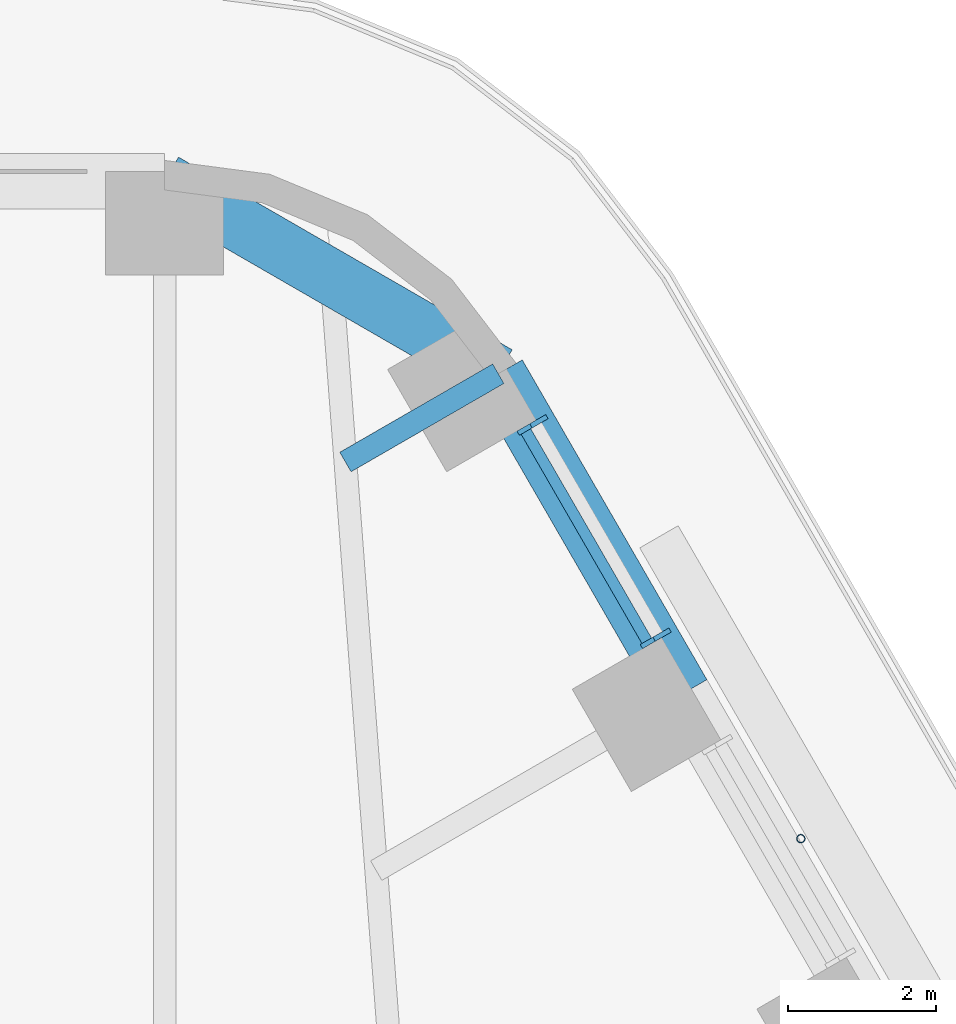
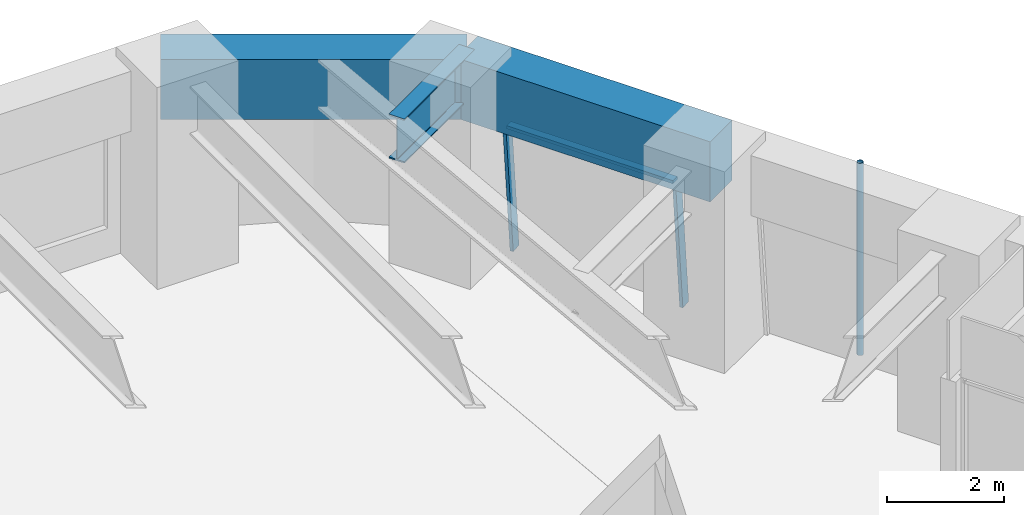
# One storey, part 13 of 24: 4 members, 3 beams, 1 element without a shape of its own.
"""IFC4 building model written with IfcOpenShell, lengths in metres."""

import ifcopenshell
import ifcopenshell.guid

model = None  # the IFC model being written
_history = None  # IfcOwnerHistory: only IFC2X3 demands one
_inside = {}  # id of a spatial element -> (the spatial element, [elements in it])
_under = {}  # id of a project, library or spatial element -> (it, [spatial elements below it])
_declared = {}  # id of a project -> (the project, [libraries it declares])
_typed = {}  # id of a type object -> (the type object, [elements of that type])
_made_of = {}  # id of a material, layer set ... -> (it, [elements and type objects made of it])


def new_model(schema):
    """Start an empty IFC model of exactly this schema.

    Asked for "IFC4X3", IfcOpenShell would pick the latest addendum, in which some entities
    have other attributes; the version numbers below select the first issue.
    IFC2X3 requires an IfcOwnerHistory on every rooted entity: one is made here for all.
    """
    global model, _history
    if schema == "IFC4X3":
        model = ifcopenshell.file(schema_version=(4, 3, 0, 0))
    else:
        model = ifcopenshell.file(schema=schema)
    _inside.clear()
    _under.clear()
    _declared.clear()
    _typed.clear()
    _made_of.clear()
    _history = None
    if model.schema == "IFC2X3":
        org = make("IfcOrganization", Name="unknown")
        user = make(
            "IfcPersonAndOrganization",
            ThePerson=make("IfcPerson", FamilyName="unknown"),
            TheOrganization=org,
        )
        app = make(
            "IfcApplication",
            ApplicationDeveloper=org,
            Version="unknown",
            ApplicationFullName="unknown",
            ApplicationIdentifier="unknown",
        )
        _history = make(
            "IfcOwnerHistory",
            OwningUser=user,
            OwningApplication=app,
            ChangeAction="ADDED",
            CreationDate=0,
        )
    return model


def make(cls, **values):
    """One entity of the class cls with the attributes given. An attribute that is None is left unset."""
    return model.create_entity(
        cls, **{name: value for name, value in values.items() if value is not None}
    )


def rooted(cls, **values):
    """An entity with a GlobalId (a new one), such as an element, a storey or a relation."""
    return make(cls, GlobalId=ifcopenshell.guid.new(), OwnerHistory=_history, **values)


def si_unit(unit_type, name, prefix=None):
    """IfcSIUnit, for example si_unit("LENGTHUNIT", "METRE", prefix="MILLI")."""
    return make("IfcSIUnit", UnitType=unit_type, Prefix=prefix, Name=name)


def assignment(units):
    """IfcUnitAssignment: the units of a project."""
    return None if units is None else make("IfcUnitAssignment", Units=units)


def point(xyz):
    """IfcCartesianPoint."""
    return None if xyz is None else make("IfcCartesianPoint", Coordinates=xyz)


def direction(xyz):
    """IfcDirection."""
    return None if xyz is None else make("IfcDirection", DirectionRatios=xyz)


def frame(location, z_axis=None, x_axis=None):
    """IfcAxis2Placement3D, a coordinate frame: its origin and axes. An axis left out is left unset."""
    return make(
        "IfcAxis2Placement3D",
        Location=point(location),
        Axis=direction(z_axis),
        RefDirection=direction(x_axis),
    )


def frame_2d(location, x_axis=None):
    """IfcAxis2Placement2D, a coordinate frame in the plane: its origin and x axis."""
    return make(
        "IfcAxis2Placement2D", Location=point(location), RefDirection=direction(x_axis)
    )


def origin():
    """The frame at (0, 0, 0) with its axes left unset."""
    return frame((0.0, 0.0, 0.0))


def origin_2d():
    """The frame at (0, 0) in the plane with its x axis left unset."""
    return frame_2d((0.0, 0.0))


def place(relative_to, where):
    """IfcLocalPlacement: puts the frame where relative to a parent placement (None: the world)."""
    return make(
        "IfcLocalPlacement", PlacementRelTo=relative_to, RelativePlacement=where
    )


def context(
    kind, dimensions, precision=None, world=None, true_north=None, identifier=None
):
    """IfcGeometricRepresentationContext, for example the 3D "Model" context."""
    return make(
        "IfcGeometricRepresentationContext",
        ContextIdentifier=identifier,
        ContextType=kind,
        CoordinateSpaceDimension=dimensions,
        Precision=precision,
        WorldCoordinateSystem=world,
        TrueNorth=true_north,
    )


def subcontext(parent, identifier, kind, view, scale=None):
    """IfcGeometricRepresentationSubContext, for example "Body" below "Model"."""
    return make(
        "IfcGeometricRepresentationSubContext",
        ContextIdentifier=identifier,
        ContextType=kind,
        ParentContext=parent,
        TargetScale=scale,
        TargetView=view,
    )


def project(units=None, contexts=None):
    """IfcProject with its units and contexts."""
    return rooted(
        "IfcProject",
        Name="project",
        RepresentationContexts=contexts,
        UnitsInContext=assignment(units),
    )


def spatial(cls, under=None, at=None, **own):
    """A site, building, storey or space (cls), placed at a placement, below another one or the project."""
    s = rooted(cls, ObjectPlacement=at, **own)
    if under is not None:
        _under.setdefault(under.id(), (under, []))[1].append(s)
    return s


def profile(cls, at=None, kind="AREA", **sizes):
    """A parametric profile (cls). Its sizes go by their IFC names, for example OverallWidth=200.0."""
    return make(cls, ProfileType=kind, Position=at, **sizes)


def rectangle(**sizes):
    """IfcRectangleProfileDef."""
    return profile("IfcRectangleProfileDef", **sizes)


def hollow_circle(**sizes):
    """IfcCircleHollowProfileDef."""
    return profile("IfcCircleHollowProfileDef", **sizes)


def i_section(**sizes):
    """IfcIShapeProfileDef."""
    return profile("IfcIShapeProfileDef", **sizes)


def extrude(swept, where, along, depth):
    """IfcExtrudedAreaSolid: the profile swept, set in the frame where, extruded along a direction by depth."""
    return make(
        "IfcExtrudedAreaSolid",
        SweptArea=swept,
        Position=where,
        ExtrudedDirection=direction(along),
        Depth=depth,
    )


def shape(context_of_items, identifier, shape_type, items):
    """IfcShapeRepresentation: the items that make up one representation, for example the "Body"."""
    return make(
        "IfcShapeRepresentation",
        ContextOfItems=context_of_items,
        RepresentationIdentifier=identifier,
        RepresentationType=shape_type,
        Items=items,
    )


def material(Name=None, Category=None):
    """IfcMaterial."""
    return make("IfcMaterial", Name=Name, Category=Category)


def material_profile(
    of_material, cross_section, Name=None, Category=None, Priority=None
):
    """IfcMaterialProfile: a cross section and its material."""
    return make(
        "IfcMaterialProfile",
        Name=Name,
        Material=of_material,
        Profile=cross_section,
        Priority=Priority,
        Category=Category,
    )


def profile_set(profiles, Name=None, composite=None):
    """IfcMaterialProfileSet."""
    return make(
        "IfcMaterialProfileSet",
        Name=Name,
        MaterialProfiles=profiles,
        CompositeProfile=composite,
    )


def made_of(thing, what):
    """Note that an element or type object is made of a material, layer set ...; save() writes the relation."""
    if what is not None:
        _made_of.setdefault(what.id(), (what, []))[1].append(thing)
    return thing


def type_object(cls, material=None, **own):
    """A type object (cls), such as IfcWallType, which elements share."""
    return made_of(rooted(cls, **own), material)


def element(
    cls,
    number,
    at=None,
    inside=None,
    cuts=None,
    type_object=None,
    material=None,
    context=None,
    identifier="Body",
    shape_type=None,
    held_by="IfcProductDefinitionShape",
    body=None,
    shapes=None,
    **own,
):
    """One element of the class cls, such as IfcWall. Its Tag is "e" and its number.

    at: its placement. inside: the storey or other place that contains it. cuts: it is an
    opening in that element (IfcRelVoidsElement). A single representation is given by context,
    identifier, shape_type and body (its items); several are given by shapes. held_by: the class
    of the entity that holds the representations. save() writes the other relations.
    """
    e = rooted(cls, Tag="e%d" % number, ObjectPlacement=at, **own)
    if body is not None:
        shapes = [shape(context, identifier, shape_type, body)]
    if shapes is not None:
        e.Representation = make(held_by, Representations=shapes)
    if inside is not None:
        _inside.setdefault(inside.id(), (inside, []))[1].append(e)
    if cuts is not None:
        rooted(
            "IfcRelVoidsElement", RelatingBuildingElement=cuts, RelatedOpeningElement=e
        )
    if type_object is not None:
        _typed.setdefault(type_object.id(), (type_object, []))[1].append(e)
    return made_of(e, material)


def aggregate(whole, parts):
    """IfcRelAggregates: a whole, such as a stair, and the parts it consists of."""
    return rooted("IfcRelAggregates", RelatingObject=whole, RelatedObjects=parts)


def save(model, path):
    """Write the relations noted so far, then the file.

    IfcRelAggregates (storeys below a building ...), IfcRelContainedInSpatialStructure (elements
    in a storey), IfcRelDefinesByType, IfcRelAssociatesMaterial and IfcRelDeclares: one each for
    every whole, place, type object, material and project.
    """
    for whole, parts in _under.values():
        aggregate(whole, parts)
    for where, things in _inside.values():
        rooted(
            "IfcRelContainedInSpatialStructure",
            RelatedElements=things,
            RelatingStructure=where,
        )
    for kind, things in _typed.values():
        rooted("IfcRelDefinesByType", RelatedObjects=things, RelatingType=kind)
    for what, things in _made_of.values():
        rooted("IfcRelAssociatesMaterial", RelatedObjects=things, RelatingMaterial=what)
    for by, libraries in _declared.values():
        rooted("IfcRelDeclares", RelatingContext=by, RelatedDefinitions=libraries)
    model.write(path)


model = new_model("IFC4")

# Units and contexts
model_context = context("Model", 3, precision=1e-05, world=origin(), true_north=direction((0.0, 1.0)))
body_context = subcontext(model_context, "Body", "Model", "MODEL_VIEW")
ifc_project = project(units=[si_unit("LENGTHUNIT", "METRE"), si_unit("AREAUNIT", "SQUARE_METRE"), si_unit("VOLUMEUNIT", "CUBIC_METRE"), si_unit("PLANEANGLEUNIT", "RADIAN"), si_unit("MASSUNIT", "GRAM", prefix="KILO")], contexts=[model_context])

# Site, building, storey
site_placement = place(None, origin())
site = spatial("IfcSite", under=ifc_project, at=site_placement, CompositionType="ELEMENT")
building_placement = place(site_placement, origin())
building = spatial("IfcBuilding", under=site, at=building_placement, Name="Tarfa Lantern Tower", CompositionType="ELEMENT")
storey_placement = place(building_placement, frame((0.0, 0.0, 178.300048828125)))
storey = spatial("IfcBuildingStorey", under=building, at=storey_placement, Name="L40", CompositionType="ELEMENT", Elevation=178.300048828125)

# Curtain wall, members
ifc_material_1 = material(Name="Aluminium framed curtain wall", Category="aluminium")
curtain_wall_type = type_object("IfcCurtainWallType", Name="CW2 CANTED GLAZING MID ZONE 2750", PredefinedType="USERDEFINED", material=ifc_material_1)
curtain_wall_placement = place(storey_placement, origin())
curtain_wall = element("IfcCurtainWall", 1, at=curtain_wall_placement, inside=storey, type_object=curtain_wall_type, Name="CW2 NEB L40", ObjectType="CURTAIN WALL", PredefinedType="USERDEFINED")
ifc_material_2 = material(Name="Aluminium mullion", Category="aluminium")
ifc_material_profile_1 = material_profile(ifc_material_2, rectangle(XDim=0.06494140625, YDim=0.199951171875, at=origin_2d()), Name="AL MULLION 65x200")
ifc_profile_set_1 = profile_set([ifc_material_profile_1], Name="Aluminium mullion")
member_type_1 = type_object("IfcMemberType", Name="CWM1 MULLION 65x200", PredefinedType="MULLION", material=ifc_profile_set_1)
member_1_placement = place(storey_placement, frame((21.773193359375, 25.087646484375, 0.0), z_axis=(-0.078422950161, -0.045267813396, 0.995891894715), x_axis=(0.499919672301, -0.866071776036, 0.0)))
member_1 = element("IfcMember", 2, at=member_1_placement, type_object=member_type_1, Name="CW2 mullion 1", PredefinedType="MULLION", context=body_context, shape_type="SweptSolid", body=[
    extrude(rectangle(XDim=0.06494140625, YDim=0.199951171875, at=origin_2d()), origin(), (0.0, 0.0, 1.0), 2.76123046875),
])
member_2_placement = place(storey_placement, frame((20.10400390625, 27.97900390625, 0.0), z_axis=(-0.078422950161, -0.045267813396, 0.995891894715), x_axis=(0.499919672301, -0.866071776036, 0.0)))
member_2 = element("IfcMember", 3, at=member_2_placement, type_object=member_type_1, Name="CW2 mullion 2", PredefinedType="MULLION", context=body_context, shape_type="SweptSolid", body=[
    extrude(rectangle(XDim=0.06494140625, YDim=0.199951171875, at=origin_2d()), origin(), (0.0, 0.0, 1.0), 2.76123046875),
])
ifc_material_3 = material(Name="Aluminium transom", Category="aluminium")
ifc_material_profile_2 = material_profile(ifc_material_3, rectangle(XDim=0.14990234375, YDim=0.06494140625, at=origin_2d()), Name="AL TRANSOM 150x65")
ifc_profile_set_2 = profile_set([ifc_material_profile_2], Name="Aluminium transom")
member_type_2 = type_object("IfcMemberType", Name="CWT1 TRANSOM 150x65", PredefinedType="USERDEFINED", material=ifc_profile_set_2)
member_3_placement = place(storey_placement, frame((21.54296875, 24.9921875, 2.717529296875), z_axis=(-0.499957005835, 0.866050225054, 0.0), x_axis=(-0.866050225054, -0.499957005835, 0.0)))
member_3 = element("IfcMember", 4, at=member_3_placement, type_object=member_type_2, Name="CW2 transom 1.2", ObjectType="TRANSOM", PredefinedType="USERDEFINED", context=body_context, shape_type="SweptSolid", body=[
    extrude(rectangle(XDim=0.14990234375, YDim=0.06494140625, at=origin_2d()), origin(), (0.0, 0.0, 1.0), 3.273681640625),
])
aggregate(curtain_wall, [member_1, member_2, member_3])

# Beams
ifc_material_4 = material(Name="Concrete C80/95", Category="concrete")
ifc_material_profile_3 = material_profile(ifc_material_4, rectangle(XDim=0.75, YDim=1.25, at=origin_2d()), Name="RC 750x1250")
ifc_profile_set_3 = profile_set([ifc_material_profile_3], Name="Concrete C80/95")
beam_type_1 = type_object("IfcBeamType", Name="EB2 RC 750x1250", PredefinedType="SPANDREL", material=ifc_profile_set_3)
beam_1_placement = place(storey_placement, frame((22.03369140625, 24.276611328125, 3.375), z_axis=(-0.500001197378, 0.866024712477, 0.0), x_axis=(-0.866024712477, -0.500001197378, 0.0)))
element("IfcBeam", 5, at=beam_1_placement, inside=storey, type_object=beam_type_1, Name="Edge beam NE5", PredefinedType="SPANDREL", context=body_context, shape_type="SweptSolid", body=[
    extrude(rectangle(XDim=0.75, YDim=1.25, at=origin_2d()), origin(), (0.0, 0.0, 1.0), 5.00390625),
])
beam_2_placement = place(storey_placement, frame((19.53173828125, 28.610107421875, 3.375), z_axis=(-0.86604150238, 0.499972115377, 0.0), x_axis=(-0.499972115377, -0.86604150238, 0.0)))
element("IfcBeam", 6, at=beam_2_placement, inside=storey, type_object=beam_type_1, Name="Edge beam NE6", PredefinedType="SPANDREL", context=body_context, shape_type="SweptSolid", body=[
    extrude(rectangle(XDim=0.75, YDim=1.25, at=origin_2d()), origin(), (0.0, 0.0, 1.0), 5.219970703125),
])

# Member
ifc_material_5 = material(Name="Steel S355", Category="steel")
ifc_material_profile_4 = material_profile(ifc_material_5, hollow_circle(Radius=0.05712890625, WallThickness=0.00634765625, at=origin_2d()), Name="CHS114.3x6.3")
ifc_profile_set_4 = profile_set([ifc_material_profile_4], Name="Steel S355")
member_type_3 = type_object("IfcMemberType", Name="TR1 GREEN WALL TRELLIS CHS114.3x6.3", PredefinedType="USERDEFINED", material=ifc_profile_set_4)
member_4_placement = place(storey_placement, frame((23.630859375, 22.31005859375, 0.0), z_axis=(0.0, 0.0, 1.0), x_axis=(1.0, 0.0, 0.0)))
element("IfcMember", 7, at=member_4_placement, inside=storey, type_object=member_type_3, Name="Trellis post NE 2", ObjectType="TRELLIS", PredefinedType="USERDEFINED", context=body_context, shape_type="SweptSolid", body=[
    extrude(hollow_circle(Radius=0.05712890625, WallThickness=0.00634765625, at=origin_2d()), origin(), (0.0, 0.0, 1.0), 4.0),
])

# Beam
ifc_material_6 = material(Name="Steel S460M", Category="steel")
ifc_material_profile_5 = material_profile(ifc_material_6, i_section(OverallWidth=0.305419921875, OverallDepth=0.91845703125, WebThickness=0.017333984375, FlangeThickness=0.02783203125, FilletRadius=0.01904296875, at=origin_2d()), Name="UB914x305x253")
ifc_profile_set_5 = profile_set([ifc_material_profile_5], Name="Steel S460M")
beam_type_2 = type_object("IfcBeamType", Name="UB914x305x253", PredefinedType="BEAM", material=ifc_profile_set_5)
beam_3_placement = place(storey_placement, frame((19.53173828125, 28.610107421875, 3.540771484375), z_axis=(-0.865998640954, -0.500046351717, 0.0), x_axis=(0.500046351717, -0.865998640954, 0.0)))
element("IfcBeam", 8, at=beam_3_placement, inside=storey, type_object=beam_type_2, Name="Floor beam NE6", PredefinedType="BEAM", context=body_context, shape_type="SweptSolid", body=[
    extrude(i_section(OverallWidth=0.305419921875, OverallDepth=0.91845703125, WebThickness=0.017333984375, FlangeThickness=0.02783203125, FilletRadius=0.01904296875, at=origin_2d()), origin(), (0.0, 0.0, 1.0), 2.392333984375),
])

save(model, "model.ifc")
